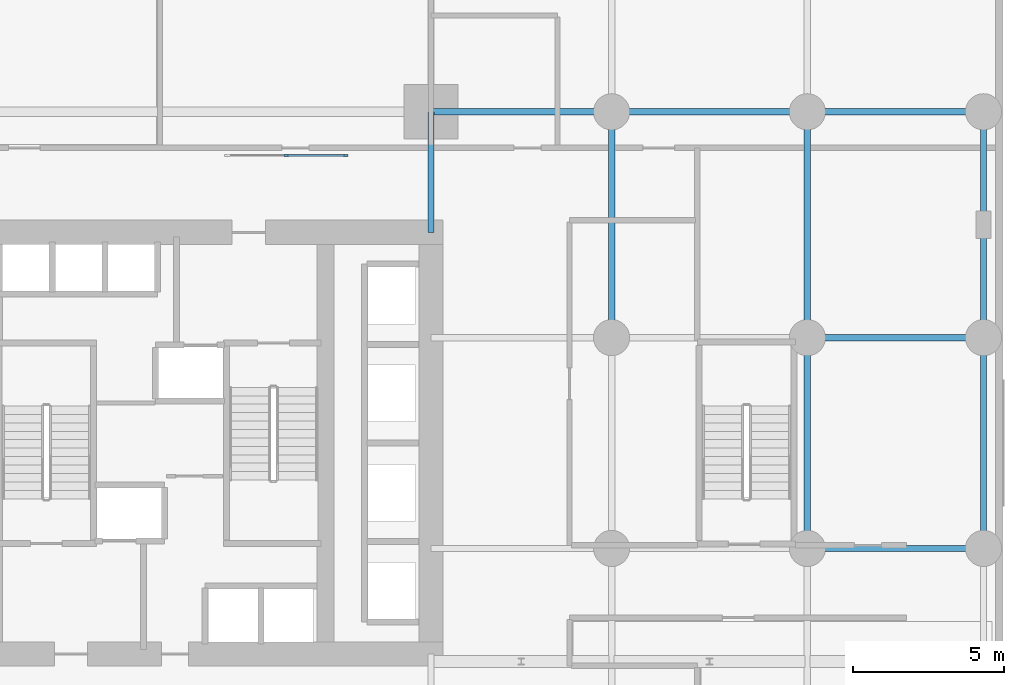
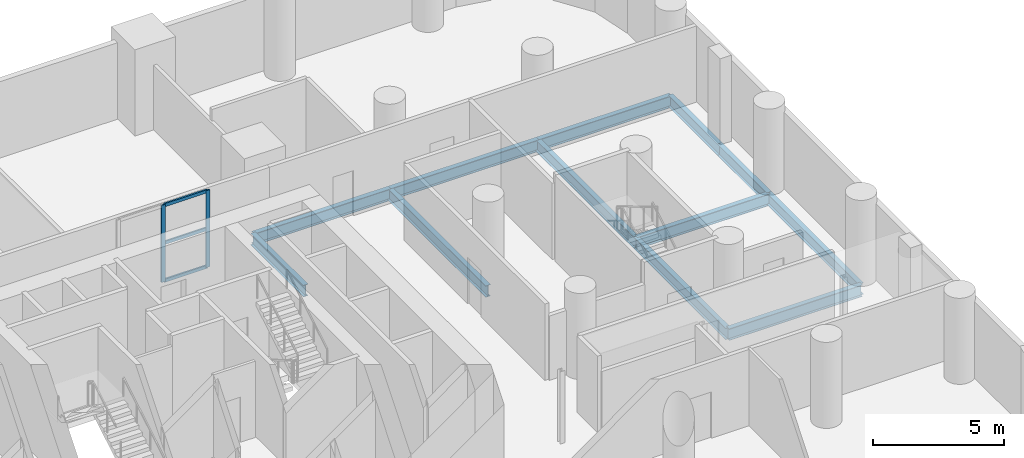
# One storey, part 7 of 15: 12 beams, 5 members, 1 element without a shape of its own.
"""IFC4 building model written with IfcOpenShell, lengths in metres."""

from ifc_helpers import new_model, si_unit, direction, frame, origin, origin_2d, place, context, subcontext, project, spatial, rectangle, i_section, extrude, material, material_profile, profile_set, type_object, element, aggregate, save


model = new_model("IFC4")

# Units and contexts
model_context = context("Model", 3, precision=1e-05, world=origin(), true_north=direction((0.0, 1.0)))
body_context = subcontext(model_context, "Body", "Model", "MODEL_VIEW")
ifc_project = project(units=[si_unit("LENGTHUNIT", "METRE"), si_unit("AREAUNIT", "SQUARE_METRE"), si_unit("VOLUMEUNIT", "CUBIC_METRE"), si_unit("PLANEANGLEUNIT", "RADIAN"), si_unit("MASSUNIT", "GRAM", prefix="KILO")], contexts=[model_context])

# Site, building, storey
site_placement = place(None, origin())
site = spatial("IfcSite", under=ifc_project, at=site_placement, CompositionType="ELEMENT")
building_placement = place(site_placement, origin())
building = spatial("IfcBuilding", under=site, at=building_placement, Name="Veldorim Arch Residences", CompositionType="ELEMENT")
storey_placement = place(building_placement, frame((0.0, 0.0, 16.0)))
storey = spatial("IfcBuildingStorey", under=building, at=storey_placement, Name="L04", CompositionType="ELEMENT", Elevation=16.0)

# Curtain wall, members
ifc_material_1 = material(Name="Aluminium", Category="aluminium")
curtain_wall_type = type_object("IfcCurtainWallType", Name="Crown Faceted Fritted Laminated Curtain Wall", PredefinedType="NOTDEFINED", material=ifc_material_1)
curtain_wall_placement = place(storey_placement, origin())
curtain_wall = element("IfcCurtainWall", 1, at=curtain_wall_placement, inside=storey, type_object=curtain_wall_type, Name="L04 N arch bridge clerestory curtain wall", PredefinedType="NOTDEFINED")
ifc_material_2 = material(Name="Aluminium", Category="aluminium")
ifc_material_profile_1 = material_profile(ifc_material_2, rectangle(XDim=0.070068359375, YDim=0.169921875, at=origin_2d()), Name="ALU_MUL_70x170")
ifc_profile_set_1 = profile_set([ifc_material_profile_1], Name="Aluminium")
member_type_1 = type_object("IfcMemberType", Name="Crown Faceted Fritted Laminated Curtain Wall Mullion 70x170", PredefinedType="MULLION", material=ifc_profile_set_1)
member_1_placement = place(storey_placement, frame((36.199951171875, 33.550048828125, 0.0), z_axis=(0.0, 0.0, 1.0), x_axis=(0.0, 1.0, 0.0)))
member_1 = element("IfcMember", 2, at=member_1_placement, type_object=member_type_1, Name="CW-CRN mullion 2", PredefinedType="MULLION", context=body_context, shape_type="SweptSolid", body=[
    extrude(rectangle(XDim=0.070068359375, YDim=0.169921875, at=origin_2d()), origin(), (0.0, 0.0, 1.0), 3.580078125),
])
member_2_placement = place(storey_placement, frame((38.1650390625, 33.550048828125, 0.0), z_axis=(0.0, 0.0, 1.0), x_axis=(0.0, 1.0, 0.0)))
member_2 = element("IfcMember", 3, at=member_2_placement, type_object=member_type_1, Name="CW-CRN mullion 3", PredefinedType="MULLION", context=body_context, shape_type="SweptSolid", body=[
    extrude(rectangle(XDim=0.070068359375, YDim=0.169921875, at=origin_2d()), origin(), (0.0, 0.0, 1.0), 3.580078125),
])
ifc_material_3 = material(Name="Aluminium", Category="aluminium")
ifc_material_profile_2 = material_profile(ifc_material_3, rectangle(XDim=0.070068359375, YDim=0.14990234375, at=origin_2d()), Name="ALU_TRN_70x150")
ifc_profile_set_2 = profile_set([ifc_material_profile_2], Name="Aluminium")
member_type_2 = type_object("IfcMemberType", Name="Crown Faceted Fritted Laminated Curtain Wall Transom 70x150", PredefinedType="USERDEFINED", material=ifc_profile_set_2)
member_3_placement = place(storey_placement, frame((36.235107421875, 33.550048828125, 0.034912109375), z_axis=(1.0, 0.0, 0.0), x_axis=(0.0, 1.0, 0.0)))
member_3 = element("IfcMember", 4, at=member_3_placement, type_object=member_type_2, Name="CW-CRN transom 2.1", ObjectType="TRANSOM", PredefinedType="USERDEFINED", context=body_context, shape_type="SweptSolid", body=[
    extrude(rectangle(XDim=0.070068359375, YDim=0.14990234375, at=origin_2d()), origin(), (0.0, 0.0, 1.0), 1.894775390625),
])
member_4_placement = place(storey_placement, frame((36.235107421875, 33.550048828125, 1.7900390625), z_axis=(1.0, 0.0, 0.0), x_axis=(0.0, 1.0, 0.0)))
member_4 = element("IfcMember", 5, at=member_4_placement, type_object=member_type_2, Name="CW-CRN transom 2.2", ObjectType="TRANSOM", PredefinedType="USERDEFINED", context=body_context, shape_type="SweptSolid", body=[
    extrude(rectangle(XDim=0.070068359375, YDim=0.14990234375, at=origin_2d()), origin(), (0.0, 0.0, 1.0), 1.894775390625),
])
member_5_placement = place(storey_placement, frame((36.235107421875, 33.550048828125, 3.544921875), z_axis=(1.0, 0.0, 0.0), x_axis=(0.0, 1.0, 0.0)))
member_5 = element("IfcMember", 6, at=member_5_placement, type_object=member_type_2, Name="CW-CRN transom 2.3", ObjectType="TRANSOM", PredefinedType="USERDEFINED", context=body_context, shape_type="SweptSolid", body=[
    extrude(rectangle(XDim=0.070068359375, YDim=0.14990234375, at=origin_2d()), origin(), (0.0, 0.0, 1.0), 1.894775390625),
])
aggregate(curtain_wall, [member_1, member_2, member_3, member_4, member_5])

# Beams
ifc_material_4 = material(Name="Steel S355", Category="steel")
ifc_material_profile_3 = material_profile(ifc_material_4, i_section(OverallWidth=0.2099609375, OverallDepth=0.53662109375, WebThickness=0.0107421875, FlangeThickness=0.017333984375, at=origin_2d()), Name="UB533x210x101")
ifc_profile_set_3 = profile_set([ifc_material_profile_3], Name="Steel S355")
beam_type_1 = type_object("IfcBeamType", Name="Structural Steel Beam UB533x210x101", PredefinedType="BEAM", material=ifc_profile_set_3)
beam_1_placement = place(storey_placement, frame((41.0, 31.0, -0.54833984375), z_axis=(0.0, 1.0, 0.0), x_axis=(-1.0, 0.0, 0.0)))
element("IfcBeam", 7, at=beam_1_placement, inside=storey, type_object=beam_type_1, Name="L04 north-south floor beam (X=41.0, 31.0-35.0)", PredefinedType="BEAM", context=body_context, shape_type="SweptSolid", body=[
    extrude(i_section(OverallWidth=0.2099609375, OverallDepth=0.53662109375, WebThickness=0.0107421875, FlangeThickness=0.017333984375, at=origin_2d()), origin(), (0.0, 0.0, 1.0), 4.0),
])
beam_2_placement = place(storey_placement, frame((47.0, 27.5, -0.54833984375), z_axis=(0.0, 1.0, 0.0), x_axis=(-1.0, 0.0, 0.0)))
element("IfcBeam", 8, at=beam_2_placement, inside=storey, type_object=beam_type_1, Name="L04 north-south floor beam (X=47.0, 27.5-35.0)", PredefinedType="BEAM", context=body_context, shape_type="SweptSolid", body=[
    extrude(i_section(OverallWidth=0.2099609375, OverallDepth=0.53662109375, WebThickness=0.0107421875, FlangeThickness=0.017333984375, at=origin_2d()), origin(), (0.0, 0.0, 1.0), 7.5),
])
beam_3_placement = place(storey_placement, frame((53.5, 20.5, -0.54833984375), z_axis=(0.0, 1.0, 0.0), x_axis=(-1.0, 0.0, 0.0)))
element("IfcBeam", 9, at=beam_3_placement, inside=storey, type_object=beam_type_1, Name="L04 north-south floor beam (X=53.5, 20.5-27.5)", PredefinedType="BEAM", context=body_context, shape_type="SweptSolid", body=[
    extrude(i_section(OverallWidth=0.2099609375, OverallDepth=0.53662109375, WebThickness=0.0107421875, FlangeThickness=0.017333984375, at=origin_2d()), origin(), (0.0, 0.0, 1.0), 7.0),
])
beam_4_placement = place(storey_placement, frame((53.5, 27.5, -0.54833984375), z_axis=(0.0, 1.0, 0.0), x_axis=(-1.0, 0.0, 0.0)))
element("IfcBeam", 10, at=beam_4_placement, inside=storey, type_object=beam_type_1, Name="L04 north-south floor beam (X=53.5, 27.5-35.0)", PredefinedType="BEAM", context=body_context, shape_type="SweptSolid", body=[
    extrude(i_section(OverallWidth=0.2099609375, OverallDepth=0.53662109375, WebThickness=0.0107421875, FlangeThickness=0.017333984375, at=origin_2d()), origin(), (0.0, 0.0, 1.0), 7.5),
])
beam_5_placement = place(storey_placement, frame((59.35009765625, 20.5, -0.54833984375), z_axis=(0.0, 1.0, 0.0), x_axis=(-1.0, 0.0, 0.0)))
element("IfcBeam", 11, at=beam_5_placement, inside=storey, type_object=beam_type_1, Name="L04 north-south floor beam (X=59.4, 20.5-27.5)", PredefinedType="BEAM", context=body_context, shape_type="SweptSolid", body=[
    extrude(i_section(OverallWidth=0.2099609375, OverallDepth=0.53662109375, WebThickness=0.0107421875, FlangeThickness=0.017333984375, at=origin_2d()), origin(), (0.0, 0.0, 1.0), 7.0),
])
for number, where, z_axis, x_axis, name in (
    (12, (59.35009765625, 27.5, -0.54833984375), (0.0, 1.0, 0.0), (-1.0, 0.0, 0.0), "L04 north-south floor beam (X=59.4, 27.5-31.2)"),
    (13, (59.35009765625, 31.25, -0.54833984375), (0.0, 1.0, 0.0), (-1.0, 0.0, 0.0), "L04 north-south floor beam (X=59.4, 31.2-35.0)"),
):
    element("IfcBeam", number, at=place(storey_placement, frame(where, z_axis=z_axis, x_axis=x_axis)), inside=storey, type_object=beam_type_1, Name=name, PredefinedType="BEAM", context=body_context, shape_type="SweptSolid", body=[
        extrude(i_section(OverallWidth=0.2099609375, OverallDepth=0.53662109375, WebThickness=0.0107421875, FlangeThickness=0.017333984375, at=origin_2d()), origin(), (0.0, 0.0, 1.0), 3.75),
    ])
ifc_material_5 = material(Name="Steel S355", Category="steel")
ifc_material_profile_4 = material_profile(ifc_material_5, i_section(OverallWidth=0.2119140625, OverallDepth=0.54443359375, WebThickness=0.0126953125, FlangeThickness=0.021240234375, at=origin_2d()), Name="UB533x210x122")
ifc_profile_set_4 = profile_set([ifc_material_profile_4], Name="Steel S355")
beam_type_2 = type_object("IfcBeamType", Name="Structural Steel Beam UB533x210x122", PredefinedType="BEAM", material=ifc_profile_set_4)
for number, where, z_axis, x_axis, name in (
    (14, (53.5, 20.5, -0.55224609375), (1.0, 0.0, 0.0), (0.0, 1.0, 0.0), "L04 east-west floor beam (53.5-59.4, Y=20.5)"),
    (15, (53.5, 27.5, -0.55224609375), (1.0, 0.0, 0.0), (0.0, 1.0, 0.0), "L04 east-west floor beam (53.5-59.4, Y=27.5)"),
):
    element("IfcBeam", number, at=place(storey_placement, frame(where, z_axis=z_axis, x_axis=x_axis)), inside=storey, type_object=beam_type_2, Name=name, PredefinedType="BEAM", context=body_context, shape_type="SweptSolid", body=[
        extrude(i_section(OverallWidth=0.2119140625, OverallDepth=0.54443359375, WebThickness=0.0126953125, FlangeThickness=0.021240234375, at=origin_2d()), origin(), (0.0, 0.0, 1.0), 5.85009765625),
    ])
beam_6_placement = place(storey_placement, frame((41.0, 35.0, -0.55224609375), z_axis=(1.0, 0.0, 0.0), x_axis=(0.0, 1.0, 0.0)))
element("IfcBeam", 16, at=beam_6_placement, inside=storey, type_object=beam_type_2, Name="L04 east-west floor beam (41.0-47.0, Y=35.0)", PredefinedType="BEAM", context=body_context, shape_type="SweptSolid", body=[
    extrude(i_section(OverallWidth=0.2119140625, OverallDepth=0.54443359375, WebThickness=0.0126953125, FlangeThickness=0.021240234375, at=origin_2d()), origin(), (0.0, 0.0, 1.0), 6.0),
])
beam_7_placement = place(storey_placement, frame((47.0, 35.0, -0.55224609375), z_axis=(1.0, 0.0, 0.0), x_axis=(0.0, 1.0, 0.0)))
element("IfcBeam", 17, at=beam_7_placement, inside=storey, type_object=beam_type_2, Name="L04 east-west floor beam (47.0-53.5, Y=35.0)", PredefinedType="BEAM", context=body_context, shape_type="SweptSolid", body=[
    extrude(i_section(OverallWidth=0.2119140625, OverallDepth=0.54443359375, WebThickness=0.0126953125, FlangeThickness=0.021240234375, at=origin_2d()), origin(), (0.0, 0.0, 1.0), 6.5),
])
beam_8_placement = place(storey_placement, frame((53.5, 35.0, -0.55224609375), z_axis=(1.0, 0.0, 0.0), x_axis=(0.0, 1.0, 0.0)))
element("IfcBeam", 18, at=beam_8_placement, inside=storey, type_object=beam_type_2, Name="L04 east-west floor beam (53.5-59.4, Y=35.0)", PredefinedType="BEAM", context=body_context, shape_type="SweptSolid", body=[
    extrude(i_section(OverallWidth=0.2119140625, OverallDepth=0.54443359375, WebThickness=0.0126953125, FlangeThickness=0.021240234375, at=origin_2d()), origin(), (0.0, 0.0, 1.0), 5.85009765625),
])

save(model, "model.ifc")
